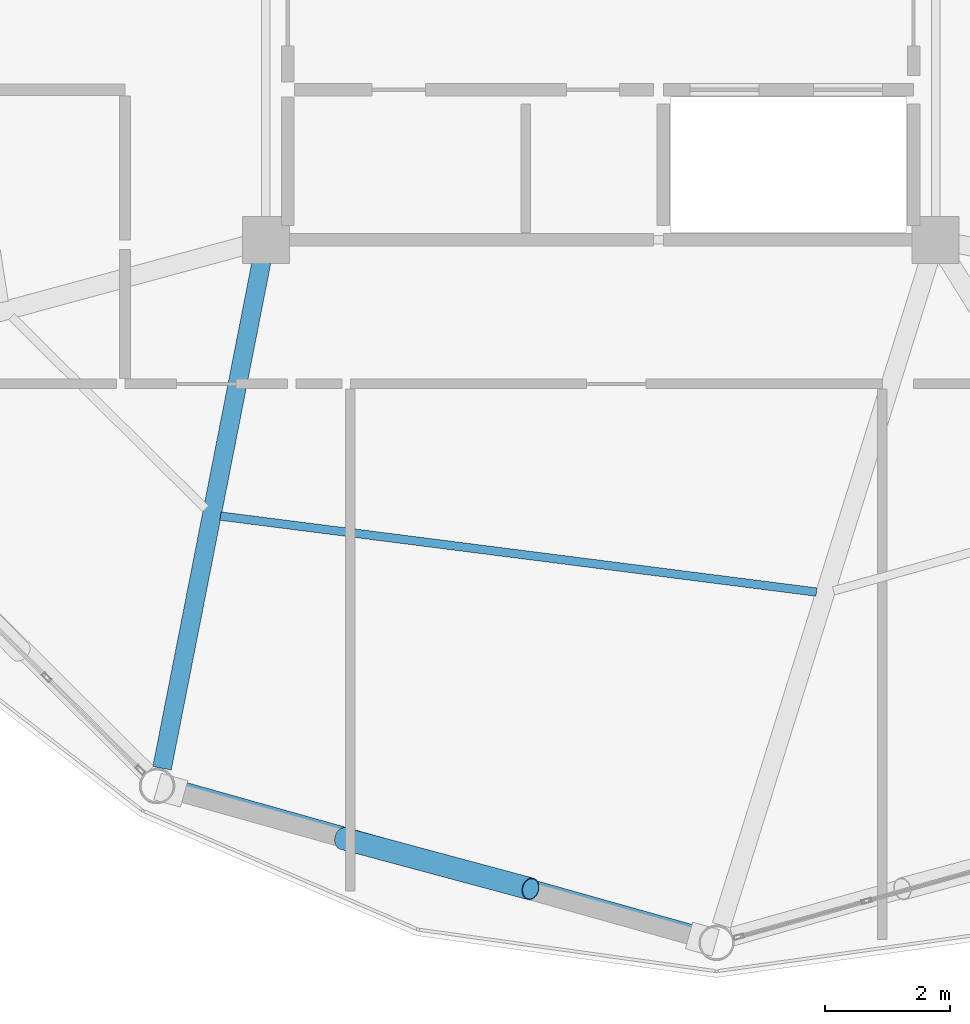
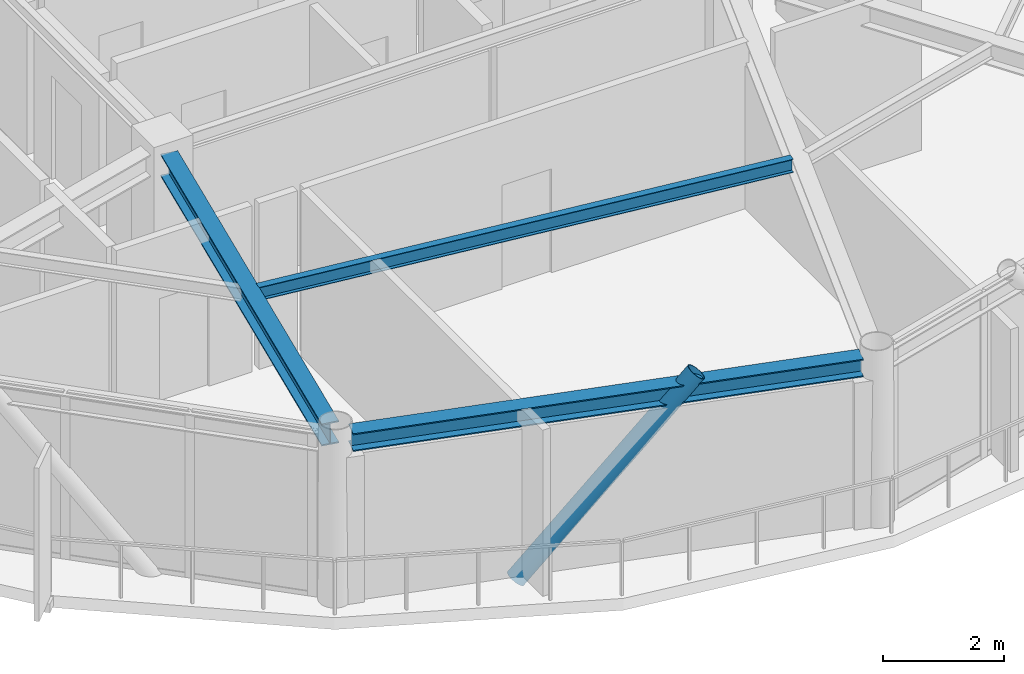
# One storey, part 3 of 24: 3 beams, 1 member.
"""IFC4 building model written with IfcOpenShell, lengths in metres."""

from ifc_helpers import new_model, si_unit, direction, frame, origin, origin_2d, place, context, subcontext, project, spatial, hollow_circle, i_section, extrude, material, material_profile, profile_set, type_object, element, save


model = new_model("IFC4")

# Units and contexts
model_context = context("Model", 3, precision=1e-05, world=origin(), true_north=direction((0.0, 1.0)))
body_context = subcontext(model_context, "Body", "Model", "MODEL_VIEW")
ifc_project = project(units=[si_unit("LENGTHUNIT", "METRE"), si_unit("AREAUNIT", "SQUARE_METRE"), si_unit("VOLUMEUNIT", "CUBIC_METRE"), si_unit("PLANEANGLEUNIT", "RADIAN"), si_unit("MASSUNIT", "GRAM", prefix="KILO")], contexts=[model_context])

# Site, building, storey
site_placement = place(None, origin())
site = spatial("IfcSite", under=ifc_project, at=site_placement, CompositionType="ELEMENT")
building_placement = place(site_placement, origin())
building = spatial("IfcBuilding", under=site, at=building_placement, Name="Varnakorn Sky Granary", CompositionType="ELEMENT")
storey_placement = place(building_placement, frame((0.0, 0.0, 274.199951171875)))
storey = spatial("IfcBuildingStorey", under=building, at=storey_placement, Name="L70", CompositionType="ELEMENT", Elevation=274.199951171875)

# Beams
ifc_material_1 = material(Name="Steel S355JR", Category="steel")
ifc_material_profile_1 = material_profile(ifc_material_1, i_section(OverallWidth=0.300048828125, OverallDepth=0.449951171875, WebThickness=0.013916015625, FlangeThickness=0.02587890625, at=origin_2d()), Name="HE 450 B")
ifc_profile_set_1 = profile_set([ifc_material_profile_1], Name="Steel S355JR")
beam_type_1 = type_object("IfcBeamType", Name="BM-RAD-Z5", PredefinedType="BEAM", material=ifc_profile_set_1)
beam_1_placement = place(storey_placement, frame((-2.41845703125, -6.9482421875, 3.135009765625), z_axis=(-0.192750394029, -0.981247820686, 0.0), x_axis=(0.981247820686, -0.192750394029, 0.0)))
element("IfcBeam", 1, at=beam_1_placement, inside=storey, type_object=beam_type_1, Name="Radial Floor Girder RG09 L70", PredefinedType="BEAM", context=body_context, shape_type="SweptSolid", body=[
    extrude(i_section(OverallWidth=0.300048828125, OverallDepth=0.449951171875, WebThickness=0.013916015625, FlangeThickness=0.02587890625, at=origin_2d()), origin(), (0.0, 0.0, 1.0), 8.246826171875),
])
ifc_material_profile_2 = material_profile(ifc_material_1, i_section(OverallWidth=0.135009765625, OverallDepth=0.27001953125, WebThickness=0.006591796875, FlangeThickness=0.01025390625, at=origin_2d()), Name="IPE 270")
ifc_profile_set_2 = profile_set([ifc_material_profile_2], Name="Steel S355JR")
beam_type_2 = type_object("IfcBeamType", Name="BM-SEC-Z5", PredefinedType="BEAM", material=ifc_profile_set_2)
beam_2_placement = place(storey_placement, frame((-3.07421875, -11.01220703125, 3.22509765625), z_axis=(0.991968462257, -0.126485453265, 0.0), x_axis=(0.126485453265, 0.991968462257, 0.0)))
element("IfcBeam", 2, at=beam_2_placement, inside=storey, type_object=beam_type_2, Name="Secondary Floor Chord Beam MSB09 L70", PredefinedType="BEAM", context=body_context, shape_type="SweptSolid", body=[
    extrude(i_section(OverallWidth=0.135009765625, OverallDepth=0.27001953125, WebThickness=0.006591796875, FlangeThickness=0.01025390625, at=origin_2d()), origin(), (0.0, 0.0, 1.0), 9.598876953125),
])
ifc_material_profile_3 = material_profile(ifc_material_1, i_section(OverallWidth=0.300048828125, OverallDepth=0.360107421875, WebThickness=0.012451171875, FlangeThickness=0.0224609375, at=origin_2d()), Name="HE 360 B")
ifc_profile_set_3 = profile_set([ifc_material_profile_3], Name="Steel S355JR")
beam_type_3 = type_object("IfcBeamType", Name="BM-SPD-Z5", PredefinedType="SPANDREL", material=ifc_profile_set_3)
beam_3_placement = place(storey_placement, frame((-3.804443359375, -15.37158203125, 3.179931640625), z_axis=(0.962757982461, -0.270364692976, 0.0), x_axis=(0.270364692976, 0.962757982461, 0.0)))
element("IfcBeam", 3, at=beam_3_placement, inside=storey, type_object=beam_type_3, Name="Perimeter Spandrel Ring Beam RB09 L70", PredefinedType="SPANDREL", context=body_context, shape_type="SweptSolid", body=[
    extrude(i_section(OverallWidth=0.300048828125, OverallDepth=0.360107421875, WebThickness=0.012451171875, FlangeThickness=0.0224609375, at=origin_2d()), origin(), (0.0, 0.0, 1.0), 8.724853515625),
])

# Member
ifc_material_2 = material(Name="Steel S460M", Category="steel")
ifc_material_profile_4 = material_profile(ifc_material_2, hollow_circle(Radius=0.177734375, WallThickness=0.01416015625, at=origin_2d()), Name="CHS 355.6x14")
ifc_profile_set_4 = profile_set([ifc_material_profile_4], Name="Steel S460M")
member_type = type_object("IfcMemberType", Name="MB-DIAG-T5", PredefinedType="BRACE", material=ifc_profile_set_4)
member_placement = place(storey_placement, frame((-1.112060546875, -16.1640625, -0.1298828125), z_axis=(0.628012860016, -0.168723696503, 0.759692149422), x_axis=(0.259461995513, 0.965753318858, 0.0)))
element("IfcMember", 4, at=member_placement, inside=storey, type_object=member_type, Name="Perimeter CHS Diagrid Brace DG09 L70", PredefinedType="BRACE", context=body_context, shape_type="SweptSolid", body=[
    extrude(hollow_circle(Radius=0.177734375, WallThickness=0.01416015625, at=origin_2d()), origin(), (0.0, 0.0, 1.0), 4.764892578125),
])

save(model, "model.ifc")
